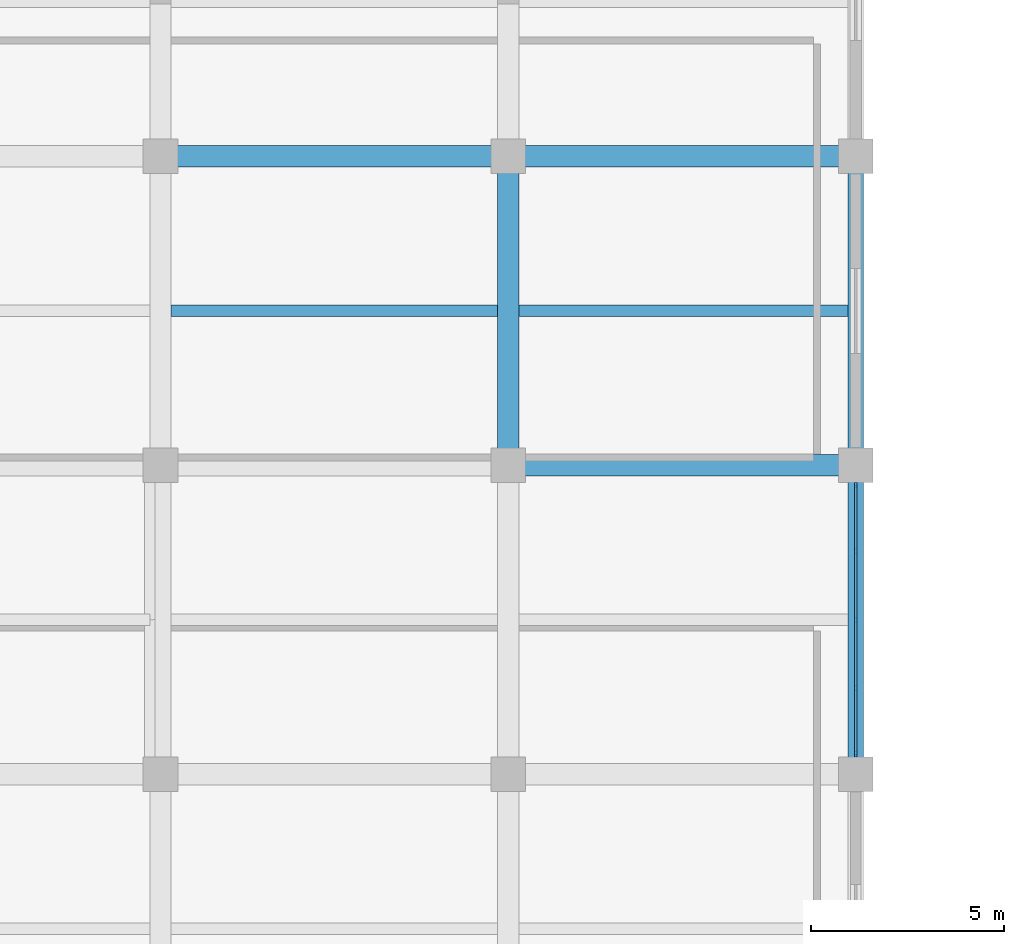
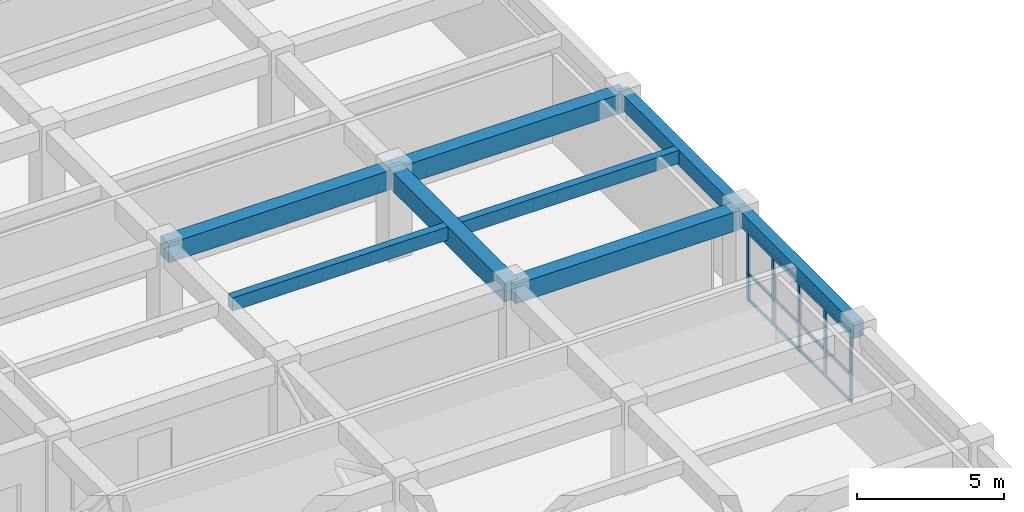
# One storey, part 8 of 23: 8 beams, 8 members, 1 element without a shape of its own.
"""IFC4 building model written with IfcOpenShell, lengths in metres."""

from ifc_helpers import new_model, si_unit, direction, frame, origin, origin_2d, place, context, subcontext, project, spatial, rectangle, extrude, material, material_profile, profile_set, type_object, element, aggregate, save


model = new_model("IFC4")

# Units and contexts
model_context = context("Model", 3, precision=1e-05, world=origin(), true_north=direction((0.0, 1.0)))
body_context = subcontext(model_context, "Body", "Model", "MODEL_VIEW")
ifc_project = project(units=[si_unit("LENGTHUNIT", "METRE"), si_unit("AREAUNIT", "SQUARE_METRE"), si_unit("VOLUMEUNIT", "CUBIC_METRE"), si_unit("PLANEANGLEUNIT", "RADIAN"), si_unit("MASSUNIT", "GRAM", prefix="KILO")], contexts=[model_context])

# Site, building, storey
site_placement = place(None, origin())
site = spatial("IfcSite", under=ifc_project, at=site_placement, CompositionType="ELEMENT")
building_placement = place(site_placement, origin())
building = spatial("IfcBuilding", under=site, at=building_placement, Name="Zaverband Oceanarium and Marine Research Institute", CompositionType="ELEMENT")
storey_placement = place(building_placement, frame((0.0, 0.0, 21.89990234375)))
storey = spatial("IfcBuildingStorey", under=building, at=storey_placement, Name="L05", CompositionType="ELEMENT", Elevation=21.89990234375)

# Beams
ifc_material_1 = material(Name="Concrete C40/50", Category="concrete")
ifc_material_profile_1 = material_profile(ifc_material_1, rectangle(XDim=0.550048828125, YDim=0.800048828125, at=origin_2d()), Name="RC550x800")
ifc_profile_set_1 = profile_set([ifc_material_profile_1], Name="Concrete C40/50")
beam_type_1 = type_object("IfcBeamType", Name="BM-550x800", PredefinedType="BEAM", material=ifc_profile_set_1)
for number, where, z_axis, x_axis, name in (
    (1, (63.0, 88.0, 3.25), (1.0, 0.0, 0.0), (0.0, 1.0, 0.0), "Primary floor girder BM-550x800"),
    (2, (54.0, 96.0, 3.25), (1.0, 0.0, 0.0), (0.0, 1.0, 0.0), "Primary floor girder BM-550x800"),
    (3, (63.0, 96.0, 3.25), (1.0, 0.0, 0.0), (0.0, 1.0, 0.0), "Primary floor girder BM-550x800"),
):
    element("IfcBeam", number, at=place(storey_placement, frame(where, z_axis=z_axis, x_axis=x_axis)), inside=storey, type_object=beam_type_1, Name=name, PredefinedType="BEAM", context=body_context, shape_type="SweptSolid", body=[
        extrude(rectangle(XDim=0.550048828125, YDim=0.800048828125, at=origin_2d()), origin(), (0.0, 0.0, 1.0), 9.0),
    ])
beam_1_placement = place(storey_placement, frame((63.0, 88.0, 3.25), z_axis=(0.0, 1.0, 0.0), x_axis=(-1.0, 0.0, 0.0)))
element("IfcBeam", 4, at=beam_1_placement, inside=storey, type_object=beam_type_1, Name="Primary floor girder BM-550x800", PredefinedType="BEAM", context=body_context, shape_type="SweptSolid", body=[
    extrude(rectangle(XDim=0.550048828125, YDim=0.800048828125, at=origin_2d()), origin(), (0.0, 0.0, 1.0), 8.0),
])
ifc_material_profile_2 = material_profile(ifc_material_1, rectangle(XDim=0.300048828125, YDim=0.550048828125, at=origin_2d()), Name="RC300x550")
ifc_profile_set_2 = profile_set([ifc_material_profile_2], Name="Concrete C40/50")
beam_type_2 = type_object("IfcBeamType", Name="JST-300x550", PredefinedType="JOIST", material=ifc_profile_set_2)
beam_2_placement = place(storey_placement, frame((54.27490234375, 92.0, 3.375), z_axis=(1.0, 0.0, 0.0), x_axis=(0.0, 1.0, 0.0)))
element("IfcBeam", 5, at=beam_2_placement, inside=storey, type_object=beam_type_2, Name="Secondary floor joist JST-300x550", PredefinedType="JOIST", context=body_context, shape_type="SweptSolid", body=[
    extrude(rectangle(XDim=0.300048828125, YDim=0.550048828125, at=origin_2d()), origin(), (0.0, 0.0, 1.0), 8.4501953125),
])
beam_3_placement = place(storey_placement, frame((63.27490234375, 92.0, 3.375), z_axis=(1.0, 0.0, 0.0), x_axis=(0.0, 1.0, 0.0)))
element("IfcBeam", 6, at=beam_3_placement, inside=storey, type_object=beam_type_2, Name="Secondary floor joist JST-300x550", PredefinedType="JOIST", context=body_context, shape_type="SweptSolid", body=[
    extrude(rectangle(XDim=0.300048828125, YDim=0.550048828125, at=origin_2d()), origin(), (0.0, 0.0, 1.0), 8.525146484375),
])

# Curtain wall, members
ifc_material_2 = material(Name="Thermally broken anodized aluminium and solar-control glass", Category="aluminium")
curtain_wall_type = type_object("IfcCurtainWallType", Name="CW-UNIT-1800", PredefinedType="NOTDEFINED", material=ifc_material_2)
curtain_wall_placement = place(storey_placement, origin())
curtain_wall = element("IfcCurtainWall", 7, at=curtain_wall_placement, inside=storey, type_object=curtain_wall_type, Name="Unitised glazed curtain wall CW-075", PredefinedType="NOTDEFINED")
ifc_material_3 = material(Name="Thermally broken anodized aluminium", Category="aluminium")
ifc_material_profile_3 = material_profile(ifc_material_3, rectangle(XDim=0.070068359375, YDim=0.14990234375, at=origin_2d()), Name="AL-MUL-70x150")
ifc_profile_set_3 = profile_set([ifc_material_profile_3], Name="Thermally broken anodized aluminium")
member_type_1 = type_object("IfcMemberType", Name="MUL-70x150", PredefinedType="MULLION", material=ifc_profile_set_3)
member_1_placement = place(storey_placement, frame((72.0, 80.514892578125, 0.0), z_axis=(0.0, 0.0, 1.0), x_axis=(1.0, 0.0, 0.0)))
member_1 = element("IfcMember", 8, at=member_1_placement, type_object=member_type_1, Name="Curtain wall vertical mullion MUL-70x150", PredefinedType="MULLION", context=body_context, shape_type="SweptSolid", body=[
    extrude(rectangle(XDim=0.070068359375, YDim=0.14990234375, at=origin_2d()), origin(), (0.0, 0.0, 1.0), 2.97998046875),
])
member_2_placement = place(storey_placement, frame((72.0, 82.2275390625, 0.0), z_axis=(0.0, 0.0, 1.0), x_axis=(1.0, 0.0, 0.0)))
member_2 = element("IfcMember", 9, at=member_2_placement, type_object=member_type_1, Name="Curtain wall vertical mullion MUL-70x150", PredefinedType="MULLION", context=body_context, shape_type="SweptSolid", body=[
    extrude(rectangle(XDim=0.070068359375, YDim=0.14990234375, at=origin_2d()), origin(), (0.0, 0.0, 1.0), 2.97998046875),
])
member_3_placement = place(storey_placement, frame((72.0, 84.0, 0.0), z_axis=(0.0, 0.0, 1.0), x_axis=(1.0, 0.0, 0.0)))
member_3 = element("IfcMember", 10, at=member_3_placement, type_object=member_type_1, Name="Curtain wall vertical mullion MUL-70x150", PredefinedType="MULLION", context=body_context, shape_type="SweptSolid", body=[
    extrude(rectangle(XDim=0.070068359375, YDim=0.14990234375, at=origin_2d()), origin(), (0.0, 0.0, 1.0), 2.97998046875),
])
member_4_placement = place(storey_placement, frame((72.0, 85.7724609375, 0.0), z_axis=(0.0, 0.0, 1.0), x_axis=(1.0, 0.0, 0.0)))
member_4 = element("IfcMember", 11, at=member_4_placement, type_object=member_type_1, Name="Curtain wall vertical mullion MUL-70x150", PredefinedType="MULLION", context=body_context, shape_type="SweptSolid", body=[
    extrude(rectangle(XDim=0.070068359375, YDim=0.14990234375, at=origin_2d()), origin(), (0.0, 0.0, 1.0), 2.97998046875),
])
member_5_placement = place(storey_placement, frame((72.0, 87.485107421875, 0.0), z_axis=(0.0, 0.0, 1.0), x_axis=(1.0, 0.0, 0.0)))
member_5 = element("IfcMember", 12, at=member_5_placement, type_object=member_type_1, Name="Curtain wall vertical mullion MUL-70x150", PredefinedType="MULLION", context=body_context, shape_type="SweptSolid", body=[
    extrude(rectangle(XDim=0.070068359375, YDim=0.14990234375, at=origin_2d()), origin(), (0.0, 0.0, 1.0), 2.97998046875),
])

# Beams
ifc_material_profile_4 = material_profile(ifc_material_1, rectangle(XDim=0.39990234375, YDim=0.64990234375, at=origin_2d()), Name="RC400x650")
ifc_profile_set_4 = profile_set([ifc_material_profile_4], Name="Concrete C40/50")
beam_type_3 = type_object("IfcBeamType", Name="SPN-400x650", PredefinedType="SPANDREL", material=ifc_profile_set_4)
for number, where, z_axis, x_axis, name in (
    (13, (72.0, 80.0, 3.3251953125), (0.0, 1.0, 0.0), (-1.0, 0.0, 0.0), "Perimeter spandrel beam SPN-400x650"),
    (14, (72.0, 88.0, 3.3251953125), (0.0, 1.0, 0.0), (-1.0, 0.0, 0.0), "Perimeter spandrel beam SPN-400x650"),
):
    element("IfcBeam", number, at=place(storey_placement, frame(where, z_axis=z_axis, x_axis=x_axis)), inside=storey, type_object=beam_type_3, Name=name, PredefinedType="SPANDREL", context=body_context, shape_type="SweptSolid", body=[
        extrude(rectangle(XDim=0.39990234375, YDim=0.64990234375, at=origin_2d()), origin(), (0.0, 0.0, 1.0), 8.0),
    ])

# Member
ifc_material_profile_5 = material_profile(ifc_material_3, rectangle(XDim=0.070068359375, YDim=0.114990234375, at=origin_2d()), Name="AL-TRN-70x115")
ifc_profile_set_5 = profile_set([ifc_material_profile_5], Name="Thermally broken anodized aluminium")
member_type_2 = type_object("IfcMemberType", Name="TRN-70x115", PredefinedType="USERDEFINED", material=ifc_profile_set_5)
member_6_placement = place(storey_placement, frame((72.0, 80.514892578125, 0.050048828125), z_axis=(0.0, 1.0, 0.0), x_axis=(-1.0, 0.0, 0.0)))
member_6 = element("IfcMember", 15, at=member_6_placement, type_object=member_type_2, Name="Curtain wall horizontal transom TRN-70x115", ObjectType="TRANSOM", PredefinedType="USERDEFINED", context=body_context, shape_type="SweptSolid", body=[
    extrude(rectangle(XDim=0.070068359375, YDim=0.114990234375, at=origin_2d()), origin(), (0.0, 0.0, 1.0), 6.97021484375),
])

member_7_placement = place(storey_placement, frame((72.0, 80.514892578125, 1.123046875), z_axis=(0.0, 1.0, 0.0), x_axis=(-1.0, 0.0, 0.0)))
member_7 = element("IfcMember", 16, at=member_7_placement, type_object=member_type_2, Name="Curtain wall horizontal transom TRN-70x115", ObjectType="TRANSOM", PredefinedType="USERDEFINED", context=body_context, shape_type="SweptSolid", body=[
    extrude(rectangle(XDim=0.070068359375, YDim=0.114990234375, at=origin_2d()), origin(), (0.0, 0.0, 1.0), 6.97021484375),
])

member_8_placement = place(storey_placement, frame((72.0, 80.514892578125, 2.93017578125), z_axis=(0.0, 1.0, 0.0), x_axis=(-1.0, 0.0, 0.0)))
member_8 = element("IfcMember", 17, at=member_8_placement, type_object=member_type_2, Name="Curtain wall horizontal transom TRN-70x115", ObjectType="TRANSOM", PredefinedType="USERDEFINED", context=body_context, shape_type="SweptSolid", body=[
    extrude(rectangle(XDim=0.070068359375, YDim=0.114990234375, at=origin_2d()), origin(), (0.0, 0.0, 1.0), 6.97021484375),
])

aggregate(curtain_wall, [member_1, member_2, member_3, member_4, member_5, member_6, member_7, member_8])

save(model, "model.ifc")
